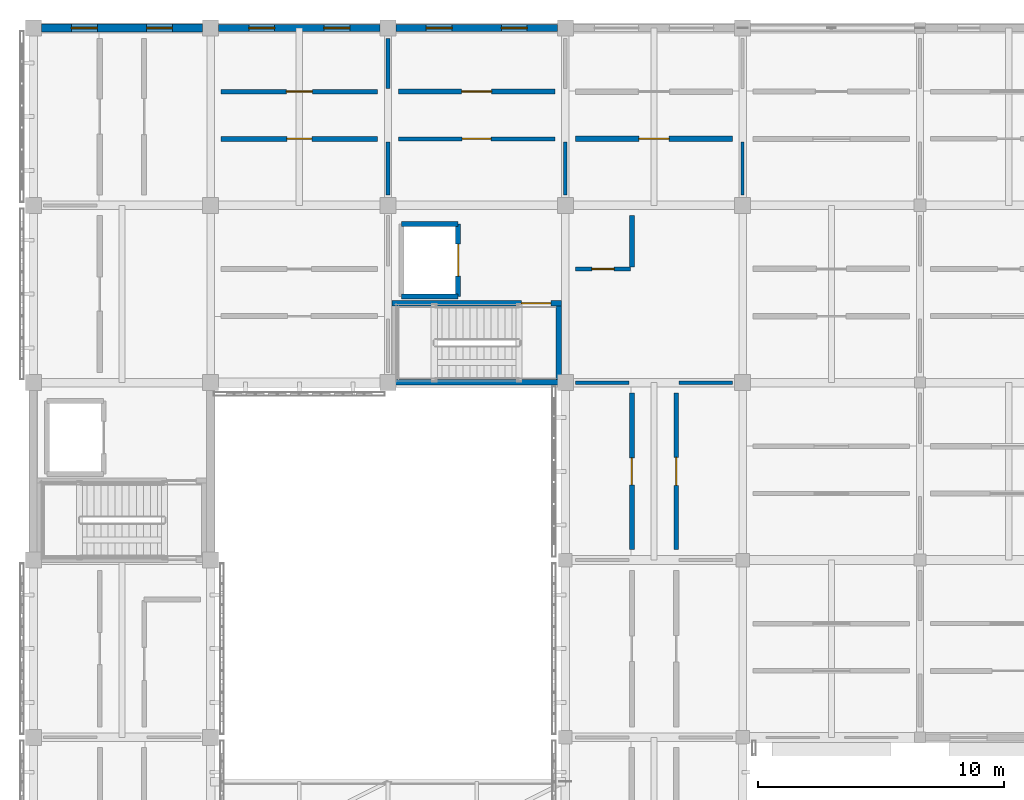
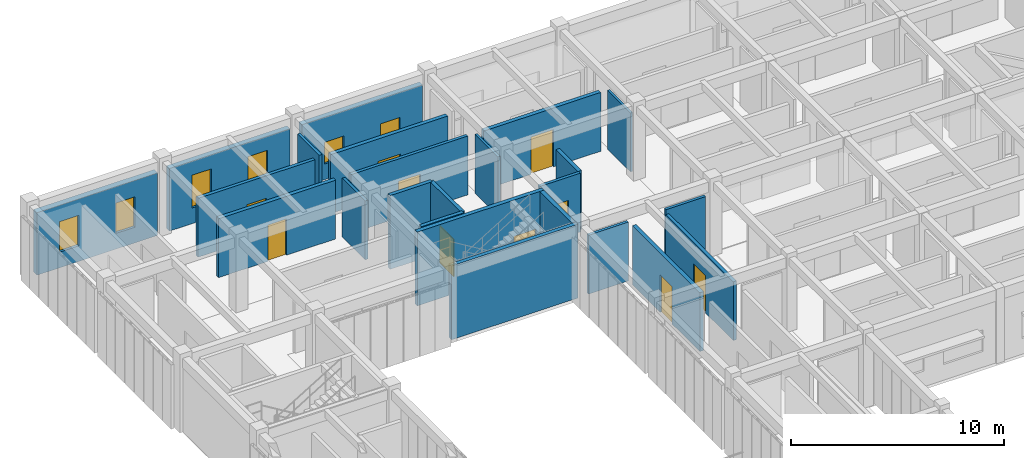
# One storey, part 74 of 91: 24 walls, 10 doors, 6 windows, 16 openings.
"""IFC4 building model written with IfcOpenShell, lengths in metres."""

from ifc_helpers import new_model, si_unit, direction, frame, frame_2d, origin, place, context, subcontext, project, spatial, rectangle, extrude, material, layer, layer_set, type_object, element, fill, save


model = new_model("IFC4")

# Units and contexts
model_context = context("Model", 3, precision=1e-05, world=origin(), true_north=direction((0.0, 1.0)))
body_context = subcontext(model_context, "Body", "Model", "MODEL_VIEW")
ifc_project = project(units=[si_unit("LENGTHUNIT", "METRE"), si_unit("AREAUNIT", "SQUARE_METRE"), si_unit("VOLUMEUNIT", "CUBIC_METRE"), si_unit("PLANEANGLEUNIT", "RADIAN"), si_unit("MASSUNIT", "GRAM", prefix="KILO")], contexts=[model_context])

# Site, building, storey
site_placement = place(None, origin())
site = spatial("IfcSite", under=ifc_project, at=site_placement, CompositionType="ELEMENT")
building_placement = place(site_placement, origin())
building = spatial("IfcBuilding", under=site, at=building_placement, Name="Aldebral Square Health Centre", CompositionType="ELEMENT")
storey_placement = place(building_placement, frame((0.0, 0.0, 9.0)))
storey = spatial("IfcBuildingStorey", under=building, at=storey_placement, Name="L02", CompositionType="ELEMENT", Elevation=9.0)

# Wall, openings, windows
ifc_material_1 = material(Name="Ochre mineral-rendered concrete C35/45 court wall", Category="concrete")
ifc_layer_1 = layer(ifc_material_1, 0.280029296875, Name="Ochre mineral-rendered concrete C35/45 court wall", Category="concrete")
ifc_layer_set_1 = layer_set([ifc_layer_1], Name="Ochre mineral-rendered concrete C35/45 court wall")
wall_type_1 = type_object("IfcWallType", Name="EW-OCH-280", PredefinedType="STANDARD", material=ifc_layer_set_1)
wall_1_placement = place(storey_placement, frame((14.074951171875, 115.199951171875, 0.0), z_axis=(0.0, 0.0, 1.0), x_axis=(-1.0, 0.0, 0.0)))
wall_1 = element("IfcWall", 1, at=wall_1_placement, inside=storey, type_object=wall_type_1, Name="L02 V4 exterior wall L02-V4-01-15-N", PredefinedType="STANDARD", context=body_context, shape_type="SweptSolid", body=[
    extrude(rectangle(XDim=6.550048828125, YDim=0.280029296875, at=frame_2d((3.27490234375, 0.0))), origin(), (0.0, 0.0, 1.0), 3.590087890625),
])
opening_1_placement = place(wall_1_placement, frame((1.22509765625, 0.0, 0.89990234375)))
opening_1 = element("IfcOpeningElement", 2, at=opening_1_placement, cuts=wall_1, Name="Opening W47", PredefinedType="OPENING", context=body_context, shape_type="SweptSolid", body=[
    extrude(rectangle(XDim=1.050048828125, YDim=1.8798828125, at=frame_2d((0.52490234375, 0.93994140625))), frame((0.0, 0.14990234375, 0.0), z_axis=(0.0, -1.0, 0.0), x_axis=(1.0, 0.0, 0.0)), (0.0, 0.0, 1.0), 0.300048828125),
])
opening_2_placement = place(wall_1_placement, frame((4.27490234375, 0.0, 0.89990234375)))
opening_2 = element("IfcOpeningElement", 3, at=opening_2_placement, cuts=wall_1, Name="Opening W47", PredefinedType="OPENING", context=body_context, shape_type="SweptSolid", body=[
    extrude(rectangle(XDim=1.050048828125, YDim=1.8798828125, at=frame_2d((0.52490234375, 0.93994140625))), frame((0.0, 0.14990234375, 0.0), z_axis=(0.0, -1.0, 0.0), x_axis=(1.0, 0.0, 0.0)), (0.0, 0.0, 1.0), 0.300048828125),
])
ifc_material_2 = material(Name="Thermally broken aluminium and low-E glass", Category="aluminium")
window_type_1 = type_object("IfcWindowType", Name="WIN-W47", PartitioningType="SINGLE_PANEL", PredefinedType="WINDOW", material=ifc_material_2)
window_1_placement = place(opening_1_placement, origin())
window_1 = element("IfcWindow", 4, at=window_1_placement, inside=storey, type_object=window_type_1, Name="L02 clinical window L02-V4-01-15-N.1", OverallHeight=1.8798828125, OverallWidth=1.050048828125, PartitioningType="SINGLE_PANEL", PredefinedType="WINDOW", context=body_context, shape_type="SweptSolid", body=[
    extrude(rectangle(XDim=1.050048828125, YDim=1.8798828125, at=frame_2d((0.52490234375, 0.93994140625))), frame((0.0, 0.030029296875, 0.0), z_axis=(0.0, -1.0, 0.0), x_axis=(1.0, 0.0, 0.0)), (0.0, 0.0, 1.0), 0.06005859375),
])
fill(opening_1, window_1)
window_2_placement = place(opening_2_placement, origin())
window_2 = element("IfcWindow", 5, at=window_2_placement, inside=storey, type_object=window_type_1, Name="L02 clinical window L02-V4-01-15-N.2", OverallHeight=1.8798828125, OverallWidth=1.050048828125, PartitioningType="SINGLE_PANEL", PredefinedType="WINDOW", context=body_context, shape_type="SweptSolid", body=[
    extrude(rectangle(XDim=1.050048828125, YDim=1.8798828125, at=frame_2d((0.52490234375, 0.93994140625))), frame((0.0, 0.030029296875, 0.0), z_axis=(0.0, -1.0, 0.0), x_axis=(1.0, 0.0, 0.0)), (0.0, 0.0, 1.0), 0.06005859375),
])
fill(opening_2, window_2)

wall_2_placement = place(storey_placement, frame((21.27490234375, 115.199951171875, 0.0), z_axis=(0.0, 0.0, 1.0), x_axis=(-1.0, 0.0, 0.0)))
wall_2 = element("IfcWall", 6, at=wall_2_placement, inside=storey, type_object=wall_type_1, Name="L02 V4 exterior wall L02-V4-02-15-N", PredefinedType="STANDARD", context=body_context, shape_type="SweptSolid", body=[
    extrude(rectangle(XDim=6.5498046875, YDim=0.280029296875, at=frame_2d((3.27490234375, 0.0))), origin(), (0.0, 0.0, 1.0), 3.590087890625),
])
opening_3_placement = place(wall_2_placement, frame((1.22509765625, 0.0, 0.89990234375)))
opening_3 = element("IfcOpeningElement", 7, at=opening_3_placement, cuts=wall_2, Name="Opening W02", PredefinedType="OPENING", context=body_context, shape_type="SweptSolid", body=[
    extrude(rectangle(XDim=1.050048828125, YDim=1.25, at=frame_2d((0.52490234375, 0.625))), frame((0.0, 0.14990234375, 0.0), z_axis=(0.0, -1.0, 0.0), x_axis=(1.0, 0.0, 0.0)), (0.0, 0.0, 1.0), 0.300048828125),
])
opening_4_placement = place(wall_2_placement, frame((4.27490234375, 0.0, 0.89990234375)))
opening_4 = element("IfcOpeningElement", 8, at=opening_4_placement, cuts=wall_2, Name="Opening W02", PredefinedType="OPENING", context=body_context, shape_type="SweptSolid", body=[
    extrude(rectangle(XDim=1.050048828125, YDim=1.25, at=frame_2d((0.52490234375, 0.625))), frame((0.0, 0.14990234375, 0.0), z_axis=(0.0, -1.0, 0.0), x_axis=(1.0, 0.0, 0.0)), (0.0, 0.0, 1.0), 0.300048828125),
])
window_type_2 = type_object("IfcWindowType", Name="WIN-W02", PartitioningType="SINGLE_PANEL", PredefinedType="WINDOW", material=ifc_material_2)
window_3_placement = place(opening_3_placement, origin())
window_3 = element("IfcWindow", 9, at=window_3_placement, inside=storey, type_object=window_type_2, Name="L02 clinical window L02-V4-02-15-N.1", OverallHeight=1.25, OverallWidth=1.050048828125, PartitioningType="SINGLE_PANEL", PredefinedType="WINDOW", context=body_context, shape_type="SweptSolid", body=[
    extrude(rectangle(XDim=1.050048828125, YDim=1.25, at=frame_2d((0.52490234375, 0.625))), frame((0.0, 0.030029296875, 0.0), z_axis=(0.0, -1.0, 0.0), x_axis=(1.0, 0.0, 0.0)), (0.0, 0.0, 1.0), 0.06005859375),
])
fill(opening_3, window_3)
window_4_placement = place(opening_4_placement, origin())
window_4 = element("IfcWindow", 10, at=window_4_placement, inside=storey, type_object=window_type_2, Name="L02 clinical window L02-V4-02-15-N.2", OverallHeight=1.25, OverallWidth=1.050048828125, PartitioningType="SINGLE_PANEL", PredefinedType="WINDOW", context=body_context, shape_type="SweptSolid", body=[
    extrude(rectangle(XDim=1.050048828125, YDim=1.25, at=frame_2d((0.52490234375, 0.625))), frame((0.0, 0.030029296875, 0.0), z_axis=(0.0, -1.0, 0.0), x_axis=(1.0, 0.0, 0.0)), (0.0, 0.0, 1.0), 0.06005859375),
])
fill(opening_4, window_4)

ifc_material_3 = material(Name="Precast concrete C40/50 insulated panel", Category="concrete")
ifc_layer_2 = layer(ifc_material_3, 0.320068359375, Name="Precast concrete C40/50 insulated panel", Category="concrete")
ifc_layer_set_2 = layer_set([ifc_layer_2], Name="Precast concrete C40/50 insulated panel")
wall_type_2 = type_object("IfcWallType", Name="EW-PRE-320", PredefinedType="STANDARD", material=ifc_layer_set_2)
wall_3_placement = place(storey_placement, frame((6.875, 115.199951171875, 0.0), z_axis=(0.0, 0.0, 1.0), x_axis=(-1.0, 0.0, 0.0)))
wall_3 = element("IfcWall", 11, at=wall_3_placement, inside=storey, type_object=wall_type_2, Name="L02 V4 exterior wall L02-V4-00-15-N", PredefinedType="STANDARD", context=body_context, shape_type="SweptSolid", body=[
    extrude(rectangle(XDim=6.550048828125, YDim=0.320068359375, at=frame_2d((3.27490234375, 0.0))), origin(), (0.0, 0.0, 1.0), 3.590087890625),
])
opening_5_placement = place(wall_3_placement, frame((1.22509765625, 0.0, 0.89990234375)))
opening_5 = element("IfcOpeningElement", 12, at=opening_5_placement, cuts=wall_3, Name="Opening W38", PredefinedType="OPENING", context=body_context, shape_type="SweptSolid", body=[
    extrude(rectangle(XDim=1.050048828125, YDim=1.75, at=frame_2d((0.52490234375, 0.875))), frame((0.0, 0.169921875, 0.0), z_axis=(0.0, -1.0, 0.0), x_axis=(1.0, 0.0, 0.0)), (0.0, 0.0, 1.0), 0.340087890625),
])
opening_6_placement = place(wall_3_placement, frame((4.27490234375, 0.0, 0.89990234375)))
opening_6 = element("IfcOpeningElement", 13, at=opening_6_placement, cuts=wall_3, Name="Opening W38", PredefinedType="OPENING", context=body_context, shape_type="SweptSolid", body=[
    extrude(rectangle(XDim=1.050048828125, YDim=1.75, at=frame_2d((0.52490234375, 0.875))), frame((0.0, 0.169921875, 0.0), z_axis=(0.0, -1.0, 0.0), x_axis=(1.0, 0.0, 0.0)), (0.0, 0.0, 1.0), 0.340087890625),
])
window_type_3 = type_object("IfcWindowType", Name="WIN-W38", PartitioningType="SINGLE_PANEL", PredefinedType="WINDOW", material=ifc_material_2)
window_5_placement = place(opening_5_placement, origin())
window_5 = element("IfcWindow", 14, at=window_5_placement, inside=storey, type_object=window_type_3, Name="L02 clinical window L02-V4-00-15-N.1", OverallHeight=1.75, OverallWidth=1.050048828125, PartitioningType="SINGLE_PANEL", PredefinedType="WINDOW", context=body_context, shape_type="SweptSolid", body=[
    extrude(rectangle(XDim=1.050048828125, YDim=1.75, at=frame_2d((0.52490234375, 0.875))), frame((0.0, 0.030029296875, 0.0), z_axis=(0.0, -1.0, 0.0), x_axis=(1.0, 0.0, 0.0)), (0.0, 0.0, 1.0), 0.06005859375),
])
fill(opening_5, window_5)
window_6_placement = place(opening_6_placement, origin())
window_6 = element("IfcWindow", 15, at=window_6_placement, inside=storey, type_object=window_type_3, Name="L02 clinical window L02-V4-00-15-N.2", OverallHeight=1.75, OverallWidth=1.050048828125, PartitioningType="SINGLE_PANEL", PredefinedType="WINDOW", context=body_context, shape_type="SweptSolid", body=[
    extrude(rectangle(XDim=1.050048828125, YDim=1.75, at=frame_2d((0.52490234375, 0.875))), frame((0.0, 0.030029296875, 0.0), z_axis=(0.0, -1.0, 0.0), x_axis=(1.0, 0.0, 0.0)), (0.0, 0.0, 1.0), 0.06005859375),
])
fill(opening_6, window_6)

# Wall, opening, door
ifc_material_4 = material(Name="Concrete C35/45 compartment wall", Category="concrete")
ifc_layer_3 = layer(ifc_material_4, 0.219970703125, Name="Concrete C35/45 compartment wall", Category="concrete")
ifc_layer_set_3 = layer_set([ifc_layer_3], Name="Concrete C35/45 compartment wall")
wall_type_3 = type_object("IfcWallType", Name="IW-CMP-220", PredefinedType="SOLIDWALL", material=ifc_layer_set_3)
wall_4_placement = place(storey_placement, frame((22.02001953125, 110.699951171875, 0.0), z_axis=(0.0, 0.0, 1.0), x_axis=(1.0, 0.0, 0.0)))
wall_4 = element("IfcWall", 16, at=wall_4_placement, inside=storey, type_object=wall_type_3, Name="L02 Immunisation Suite 4.16S corridor wall", PredefinedType="SOLIDWALL", context=body_context, shape_type="SweptSolid", body=[
    extrude(rectangle(XDim=6.35986328125, YDim=0.219970703125, at=frame_2d((3.179931640625, 0.0))), origin(), (0.0, 0.0, 1.0), 3.3798828125),
])
opening_7_placement = place(wall_4_placement, frame((2.570068359375, 0.0, 0.0)))
opening_7 = element("IfcOpeningElement", 17, at=opening_7_placement, cuts=wall_4, Name="Opening D-0469", PredefinedType="OPENING", context=body_context, shape_type="SweptSolid", body=[
    extrude(rectangle(XDim=1.219970703125, YDim=2.139892578125, at=frame_2d((0.60986328125, 1.06982421875))), frame((0.0, 0.1201171875, 0.0), z_axis=(0.0, -1.0, 0.0), x_axis=(1.0, 0.0, 0.0)), (0.0, 0.0, 1.0), 0.239990234375),
])
ifc_material_5 = material(Name="Clinical suite fire door")
door_type_1 = type_object("IfcDoorType", Name="ID-EXD-40", OperationType="NOTDEFINED", PredefinedType="DOOR", material=ifc_material_5)
door_1_placement = place(opening_7_placement, origin())
door_1 = element("IfcDoor", 18, at=door_1_placement, inside=storey, type_object=door_type_1, Name="L02 Immunisation Suite 4.16S door", OperationType="SINGLE_SWING_RIGHT", OverallHeight=2.139892578125, OverallWidth=1.219970703125, PredefinedType="DOOR", context=body_context, shape_type="SweptSolid", body=[
    extrude(rectangle(XDim=1.219970703125, YDim=2.139892578125, at=frame_2d((0.60986328125, 1.06982421875))), frame((0.0, 0.02490234375, 0.0), z_axis=(0.0, -1.0, 0.0), x_axis=(1.0, 0.0, 0.0)), (0.0, 0.0, 1.0), 0.050048828125),
])
fill(opening_7, door_1)

ifc_material_6 = material(Name="Fire-rated acoustic gypsum partition")
ifc_layer_4 = layer(ifc_material_6, 0.1650390625, Name="Fire-rated acoustic gypsum partition")
ifc_layer_set_4 = layer_set([ifc_layer_4], Name="Fire-rated acoustic gypsum partition")
wall_type_4 = type_object("IfcWallType", Name="IW-COR-165", PredefinedType="PARTITIONING", material=ifc_layer_set_4)
wall_5_placement = place(storey_placement, frame((14.820068359375, 110.699951171875, 0.0), z_axis=(0.0, 0.0, 1.0), x_axis=(1.0, 0.0, 0.0)))
wall_5 = element("IfcWall", 19, at=wall_5_placement, inside=storey, type_object=wall_type_4, Name="L02 General Consulting Room 3.16S corridor wall", PredefinedType="PARTITIONING", context=body_context, shape_type="SweptSolid", body=[
    extrude(rectangle(XDim=6.35986328125, YDim=0.1650390625, at=frame_2d((3.179931640625, 0.0))), origin(), (0.0, 0.0, 1.0), 3.3798828125),
])
opening_8_placement = place(wall_5_placement, frame((2.590087890625, 0.0, 0.0)))
opening_8 = element("IfcOpeningElement", 20, at=opening_8_placement, cuts=wall_5, Name="Opening D-0452", PredefinedType="OPENING", context=body_context, shape_type="SweptSolid", body=[
    extrude(rectangle(XDim=1.179931640625, YDim=2.090087890625, at=frame_2d((0.58984375, 1.044921875))), frame((0.0, 0.092529296875, 0.0), z_axis=(0.0, -1.0, 0.0), x_axis=(1.0, 0.0, 0.0)), (0.0, 0.0, 1.0), 0.18505859375),
])
door_type_2 = type_object("IfcDoorType", Name="ID-EXD-23", OperationType="NOTDEFINED", PredefinedType="DOOR", material=ifc_material_5)
door_2_placement = place(opening_8_placement, origin())
door_2 = element("IfcDoor", 21, at=door_2_placement, inside=storey, type_object=door_type_2, Name="L02 General Consulting Room 3.16S door", OperationType="SINGLE_SWING_LEFT", OverallHeight=2.090087890625, OverallWidth=1.179931640625, PredefinedType="DOOR", context=body_context, shape_type="SweptSolid", body=[
    extrude(rectangle(XDim=1.179931640625, YDim=2.090087890625, at=frame_2d((0.58984375, 1.044921875))), frame((0.0, 0.02490234375, 0.0), z_axis=(0.0, -1.0, 0.0), x_axis=(1.0, 0.0, 0.0)), (0.0, 0.0, 1.0), 0.050048828125),
])
fill(opening_8, door_2)

wall_6_placement = place(storey_placement, frame((22.02001953125, 105.419921875, 0.0), z_axis=(0.0, 0.0, 1.0), x_axis=(1.0, 0.0, 0.0)))
wall_6 = element("IfcWall", 22, at=wall_6_placement, inside=storey, type_object=wall_type_4, Name="L02 Adolescent Medicine Clinic 4.15NW corridor wall", PredefinedType="PARTITIONING", context=body_context, shape_type="SweptSolid", body=[
    extrude(rectangle(XDim=2.219970703125, YDim=0.1650390625, at=frame_2d((1.10986328125, 0.0))), origin(), (0.0, 0.0, 1.0), 3.3798828125),
])
opening_9_placement = place(wall_6_placement, frame((0.659912109375, 0.0, 0.0)))
opening_9 = element("IfcOpeningElement", 23, at=opening_9_placement, cuts=wall_6, Name="Opening D-0468", PredefinedType="OPENING", context=body_context, shape_type="SweptSolid", body=[
    extrude(rectangle(XDim=0.89990234375, YDim=2.0400390625, at=frame_2d((0.449951171875, 1.02001953125))), frame((0.0, 0.092529296875, 0.0), z_axis=(0.0, -1.0, 0.0), x_axis=(1.0, 0.0, 0.0)), (0.0, 0.0, 1.0), 0.18505859375),
])
door_type_3 = type_object("IfcDoorType", Name="ID-EXD-00", OperationType="NOTDEFINED", PredefinedType="DOOR", material=ifc_material_5)
door_3_placement = place(opening_9_placement, origin())
door_3 = element("IfcDoor", 24, at=door_3_placement, inside=storey, type_object=door_type_3, Name="L02 Adolescent Medicine Clinic 4.15NW door", OperationType="SINGLE_SWING_LEFT", OverallHeight=2.0400390625, OverallWidth=0.89990234375, PredefinedType="DOOR", context=body_context, shape_type="SweptSolid", body=[
    extrude(rectangle(XDim=0.89990234375, YDim=2.0400390625, at=frame_2d((0.449951171875, 1.02001953125))), frame((0.0, 0.02490234375, 0.0), z_axis=(0.0, -1.0, 0.0), x_axis=(1.0, 0.0, 0.0)), (0.0, 0.0, 1.0), 0.050048828125),
])
fill(opening_9, door_3)

ifc_layer_5 = layer(ifc_material_6, 0.179931640625, Name="Fire-rated acoustic gypsum partition")
ifc_layer_set_5 = layer_set([ifc_layer_5], Name="Fire-rated acoustic gypsum partition")
wall_type_5 = type_object("IfcWallType", Name="IW-COR-180", PredefinedType="PARTITIONING", material=ifc_layer_set_5)
wall_7_placement = place(storey_placement, frame((7.6201171875, 112.6201171875, 0.0), z_axis=(0.0, 0.0, 1.0), x_axis=(1.0, 0.0, 0.0)))
wall_7 = element("IfcWall", 25, at=wall_7_placement, inside=storey, type_object=wall_type_5, Name="L02 Paediatric Examination Room 2.16N corridor wall", PredefinedType="PARTITIONING", context=body_context, shape_type="SweptSolid", body=[
    extrude(rectangle(XDim=6.35986328125, YDim=0.179931640625, at=frame_2d((3.179931640625, 0.0))), origin(), (0.0, 0.0, 1.0), 3.3798828125),
])
opening_10_placement = place(wall_7_placement, frame((2.64990234375, 0.0, 0.0)))
opening_10 = element("IfcOpeningElement", 26, at=opening_10_placement, cuts=wall_7, Name="Opening D-0449", PredefinedType="OPENING", context=body_context, shape_type="SweptSolid", body=[
    extrude(rectangle(XDim=1.06005859375, YDim=2.090087890625, at=frame_2d((0.530029296875, 1.044921875))), frame((0.0, 0.10009765625, 0.0), z_axis=(0.0, -1.0, 0.0), x_axis=(1.0, 0.0, 0.0)), (0.0, 0.0, 1.0), 0.199951171875),
])
door_type_4 = type_object("IfcDoorType", Name="ID-EXD-20", OperationType="NOTDEFINED", PredefinedType="DOOR", material=ifc_material_5)
door_4_placement = place(opening_10_placement, origin())
door_4 = element("IfcDoor", 27, at=door_4_placement, inside=storey, type_object=door_type_4, Name="L02 Paediatric Examination Room 2.16N door", OperationType="SINGLE_SWING_RIGHT", OverallHeight=2.090087890625, OverallWidth=1.06005859375, PredefinedType="DOOR", context=body_context, shape_type="SweptSolid", body=[
    extrude(rectangle(XDim=1.06005859375, YDim=2.090087890625, at=frame_2d((0.530029296875, 1.044921875))), frame((0.0, 0.02490234375, 0.0), z_axis=(0.0, -1.0, 0.0), x_axis=(1.0, 0.0, 0.0)), (0.0, 0.0, 1.0), 0.050048828125),
])
fill(opening_10, door_4)

wall_8_placement = place(storey_placement, frame((26.10009765625, 94.02001953125, 0.0), z_axis=(0.0, 0.0, 1.0), x_axis=(0.0, 1.0, 0.0)))
wall_8 = element("IfcWall", 28, at=wall_8_placement, inside=storey, type_object=wall_type_5, Name="L02 Paediatric Examination Room 4.14E corridor wall", PredefinedType="PARTITIONING", context=body_context, shape_type="SweptSolid", body=[
    extrude(rectangle(XDim=6.35986328125, YDim=0.179931640625, at=frame_2d((3.179931640625, 0.0))), origin(), (0.0, 0.0, 1.0), 3.3798828125),
])
opening_11_placement = place(wall_8_placement, frame((2.610107421875, 0.0, 0.0)))
opening_11 = element("IfcOpeningElement", 29, at=opening_11_placement, cuts=wall_8, Name="Opening D-0467", PredefinedType="OPENING", context=body_context, shape_type="SweptSolid", body=[
    extrude(rectangle(XDim=1.139892578125, YDim=2.139892578125, at=frame_2d((0.56982421875, 1.06982421875))), frame((0.0, 0.10009765625, 0.0), z_axis=(0.0, -1.0, 0.0), x_axis=(1.0, 0.0, 0.0)), (0.0, 0.0, 1.0), 0.199951171875),
])
door_type_5 = type_object("IfcDoorType", Name="ID-EXD-38", OperationType="NOTDEFINED", PredefinedType="DOOR", material=ifc_material_5)
door_5_placement = place(opening_11_placement, origin())
door_5 = element("IfcDoor", 30, at=door_5_placement, inside=storey, type_object=door_type_5, Name="L02 Paediatric Examination Room 4.14E door", OperationType="SINGLE_SWING_RIGHT", OverallHeight=2.139892578125, OverallWidth=1.139892578125, PredefinedType="DOOR", context=body_context, shape_type="SweptSolid", body=[
    extrude(rectangle(XDim=1.139892578125, YDim=2.139892578125, at=frame_2d((0.56982421875, 1.06982421875))), frame((0.0, 0.02490234375, 0.0), z_axis=(0.0, -1.0, 0.0), x_axis=(1.0, 0.0, 0.0)), (0.0, 0.0, 1.0), 0.050048828125),
])
fill(opening_11, door_5)

# Wall
ifc_material_7 = material(Name="Concrete C40/50", Category="concrete")
ifc_layer_6 = layer(ifc_material_7, 0.219970703125, Name="Concrete C40/50", Category="concrete")
ifc_layer_set_6 = layer_set([ifc_layer_6], Name="Concrete C40/50")
wall_type_6 = type_object("IfcWallType", Name="IW-CORE-280", PredefinedType="SHEAR", material=ifc_layer_set_6)
wall_9_placement = place(storey_placement, frame((14.56005859375, 100.81005859375, 0.0), z_axis=(0.0, 0.0, 1.0), x_axis=(1.0, 0.0, 0.0)))
element("IfcWall", 31, at=wall_9_placement, inside=storey, type_object=wall_type_6, Name="L02 WC-C2 shaft wall S", PredefinedType="SHEAR", context=body_context, shape_type="SweptSolid", body=[
    extrude(rectangle(XDim=6.8798828125, YDim=0.219970703125, at=frame_2d((3.43994140625, 0.0))), origin(), (0.0, 0.0, 1.0), 4.239990234375),
])

# Wall, opening, door
wall_10_placement = place(storey_placement, frame((14.56005859375, 104.030029296875, 0.0), z_axis=(0.0, 0.0, 1.0), x_axis=(1.0, 0.0, 0.0)))
wall_10 = element("IfcWall", 32, at=wall_10_placement, inside=storey, type_object=wall_type_6, Name="L02 WC-C2 shaft wall N", PredefinedType="SHEAR", context=body_context, shape_type="SweptSolid", body=[
    extrude(rectangle(XDim=6.8798828125, YDim=0.219970703125, at=frame_2d((3.43994140625, 0.0))), origin(), (0.0, 0.0, 1.0), 4.239990234375),
])
opening_12_placement = place(wall_10_placement, frame((5.25, 0.0, 0.0)))
opening_12 = element("IfcOpeningElement", 33, at=opening_12_placement, cuts=wall_10, Name="Opening D-0023", PredefinedType="OPENING", context=body_context, shape_type="SweptSolid", body=[
    extrude(rectangle(XDim=1.199951171875, YDim=2.14990234375, at=frame_2d((0.60009765625, 1.074951171875))), frame((0.0, 0.1201171875, 0.0), z_axis=(0.0, -1.0, 0.0), x_axis=(1.0, 0.0, 0.0)), (0.0, 0.0, 1.0), 0.239990234375),
])
ifc_material_8 = material(Name="Fire-rated steel stair door", Category="steel")
door_type_6 = type_object("IfcDoorType", Name="ID-ST-120", OperationType="NOTDEFINED", PredefinedType="DOOR", material=ifc_material_8)
door_6_placement = place(opening_12_placement, origin())
door_6 = element("IfcDoor", 34, at=door_6_placement, inside=storey, type_object=door_type_6, Name="L02 ST-02 fire door", OperationType="SINGLE_SWING_RIGHT", OverallHeight=2.14990234375, OverallWidth=1.199951171875, PredefinedType="DOOR", context=body_context, shape_type="SweptSolid", body=[
    extrude(rectangle(XDim=1.199951171875, YDim=2.14990234375, at=frame_2d((0.60009765625, 1.074951171875))), frame((0.0, 0.02490234375, 0.0), z_axis=(0.0, -1.0, 0.0), x_axis=(1.0, 0.0, 0.0)), (0.0, 0.0, 1.0), 0.050048828125),
])
fill(opening_12, door_6)

# Walls
wall_11_placement = place(storey_placement, frame((21.330078125, 100.919921875, 0.0), z_axis=(0.0, 0.0, 1.0), x_axis=(0.0, 1.0, 0.0)))
element("IfcWall", 35, at=wall_11_placement, inside=storey, type_object=wall_type_6, Name="L02 WC-C2 shaft wall E", PredefinedType="SHEAR", context=body_context, shape_type="SweptSolid", body=[
    extrude(rectangle(XDim=3.0, YDim=0.219970703125, at=frame_2d((1.5, 0.0))), origin(), (0.0, 0.0, 1.0), 4.239990234375),
])
ifc_layer_7 = layer(ifc_material_7, 0.199951171875, Name="Concrete C40/50", Category="concrete")
ifc_layer_set_7 = layer_set([ifc_layer_7], Name="Concrete C40/50")
wall_type_7 = type_object("IfcWallType", Name="IW-LFT-250", PredefinedType="SHEAR", material=ifc_layer_set_7)
for number, where, z_axis, x_axis, name in (
    (36, (14.949951171875, 104.300048828125, 0.0), (0.0, 0.0, 1.0), (1.0, 0.0, 0.0), "L02 LF-02 shaft wall S"),
    (37, (14.949951171875, 107.25, 0.0), (0.0, 0.0, 1.0), (1.0, 0.0, 0.0), "L02 LF-02 shaft wall N"),
):
    element("IfcWall", number, at=place(storey_placement, frame(where, z_axis=z_axis, x_axis=x_axis)), inside=storey, type_object=wall_type_7, Name=name, PredefinedType="SHEAR", context=body_context, shape_type="SweptSolid", body=[
        extrude(rectangle(XDim=2.300048828125, YDim=0.199951171875, at=frame_2d((1.14990234375, 0.0))), origin(), (0.0, 0.0, 1.0), 4.239990234375),
    ])

# Wall, opening, door
wall_12_placement = place(storey_placement, frame((17.25, 104.300048828125, 0.0), z_axis=(0.0, 0.0, 1.0), x_axis=(0.0, 1.0, 0.0)))
wall_12 = element("IfcWall", 38, at=wall_12_placement, inside=storey, type_object=wall_type_7, Name="L02 LF-02 landing wall", PredefinedType="SHEAR", context=body_context, shape_type="SweptSolid", body=[
    extrude(rectangle(XDim=2.949951171875, YDim=0.199951171875, at=frame_2d((1.47509765625, 0.0))), origin(), (0.0, 0.0, 1.0), 4.239990234375),
])
opening_13_placement = place(wall_12_placement, frame((0.824951171875, 0.0, 0.0)))
opening_13 = element("IfcOpeningElement", 39, at=opening_13_placement, cuts=wall_12, Name="Opening D-0024", PredefinedType="OPENING", context=body_context, shape_type="SweptSolid", body=[
    extrude(rectangle(XDim=1.300048828125, YDim=2.14990234375, at=frame_2d((0.64990234375, 1.074951171875))), frame((0.0, 0.10986328125, 0.0), z_axis=(0.0, -1.0, 0.0), x_axis=(1.0, 0.0, 0.0)), (0.0, 0.0, 1.0), 0.219970703125),
])
ifc_material_9 = material(Name="Stainless steel stretcher lift landing door", Category="steel")
door_type_7 = type_object("IfcDoorType", Name="ID-LD-130", OperationType="SLIDING_TO_LEFT", PredefinedType="DOOR", material=ifc_material_9)
door_7_placement = place(opening_13_placement, origin())
door_7 = element("IfcDoor", 40, at=door_7_placement, inside=storey, type_object=door_type_7, Name="L02 LF-02 sliding landing door", OperationType="SLIDING_TO_LEFT", OverallHeight=2.14990234375, OverallWidth=1.300048828125, PredefinedType="DOOR", context=body_context, shape_type="SweptSolid", body=[
    extrude(rectangle(XDim=1.300048828125, YDim=2.14990234375, at=frame_2d((0.64990234375, 1.074951171875))), frame((0.0, 0.02490234375, 0.0), z_axis=(0.0, -1.0, 0.0), x_axis=(1.0, 0.0, 0.0)), (0.0, 0.0, 1.0), 0.050048828125),
])
fill(opening_13, door_7)

ifc_material_10 = material(Name="Moisture-resistant sanitary chase wall")
ifc_layer_8 = layer(ifc_material_10, 0.2099609375, Name="Moisture-resistant sanitary chase wall")
ifc_layer_set_8 = layer_set([ifc_layer_8], Name="Moisture-resistant sanitary chase wall")
wall_type_8 = type_object("IfcWallType", Name="IW-PLB-210", PredefinedType="PLUMBINGWALL", material=ifc_layer_set_8)
wall_13_placement = place(storey_placement, frame((7.6201171875, 110.699951171875, 0.0), z_axis=(0.0, 0.0, 1.0), x_axis=(1.0, 0.0, 0.0)))
wall_13 = element("IfcWall", 41, at=wall_13_placement, inside=storey, type_object=wall_type_8, Name="L02 Family Toilet 2.16S corridor wall", PredefinedType="PLUMBINGWALL", context=body_context, shape_type="SweptSolid", body=[
    extrude(rectangle(XDim=6.35986328125, YDim=0.2099609375, at=frame_2d((3.179931640625, 0.0))), origin(), (0.0, 0.0, 1.0), 3.3798828125),
])
opening_14_placement = place(wall_13_placement, frame((2.669921875, 0.0, 0.0)))
opening_14 = element("IfcOpeningElement", 42, at=opening_14_placement, cuts=wall_13, Name="Opening D-0448", PredefinedType="OPENING", context=body_context, shape_type="SweptSolid", body=[
    extrude(rectangle(XDim=1.02001953125, YDim=2.090087890625, at=frame_2d((0.510009765625, 1.044921875))), frame((0.0, 0.114990234375, 0.0), z_axis=(0.0, -1.0, 0.0), x_axis=(1.0, 0.0, 0.0)), (0.0, 0.0, 1.0), 0.22998046875),
])
door_type_8 = type_object("IfcDoorType", Name="ID-EXD-19", OperationType="NOTDEFINED", PredefinedType="DOOR", material=ifc_material_5)
door_8_placement = place(opening_14_placement, origin())
door_8 = element("IfcDoor", 43, at=door_8_placement, inside=storey, type_object=door_type_8, Name="L02 Family Toilet 2.16S door", OperationType="SINGLE_SWING_LEFT", OverallHeight=2.090087890625, OverallWidth=1.02001953125, PredefinedType="DOOR", context=body_context, shape_type="SweptSolid", body=[
    extrude(rectangle(XDim=1.02001953125, YDim=2.090087890625, at=frame_2d((0.510009765625, 1.044921875))), frame((0.0, 0.02490234375, 0.0), z_axis=(0.0, -1.0, 0.0), x_axis=(1.0, 0.0, 0.0)), (0.0, 0.0, 1.0), 0.050048828125),
])
fill(opening_14, door_8)

wall_14_placement = place(storey_placement, frame((14.820068359375, 112.6201171875, 0.0), z_axis=(0.0, 0.0, 1.0), x_axis=(1.0, 0.0, 0.0)))
wall_14 = element("IfcWall", 44, at=wall_14_placement, inside=storey, type_object=wall_type_8, Name="L02 Accessible WC 3.16N corridor wall", PredefinedType="PLUMBINGWALL", context=body_context, shape_type="SweptSolid", body=[
    extrude(rectangle(XDim=6.35986328125, YDim=0.2099609375, at=frame_2d((3.179931640625, 0.0))), origin(), (0.0, 0.0, 1.0), 3.3798828125),
])
opening_15_placement = place(wall_14_placement, frame((2.570068359375, 0.0, 0.0)))
opening_15 = element("IfcOpeningElement", 45, at=opening_15_placement, cuts=wall_14, Name="Opening D-0453", PredefinedType="OPENING", context=body_context, shape_type="SweptSolid", body=[
    extrude(rectangle(XDim=1.219970703125, YDim=2.090087890625, at=frame_2d((0.60986328125, 1.044921875))), frame((0.0, 0.114990234375, 0.0), z_axis=(0.0, -1.0, 0.0), x_axis=(1.0, 0.0, 0.0)), (0.0, 0.0, 1.0), 0.22998046875),
])
door_type_9 = type_object("IfcDoorType", Name="ID-EXD-24", OperationType="NOTDEFINED", PredefinedType="DOOR", material=ifc_material_5)
door_9_placement = place(opening_15_placement, origin())
door_9 = element("IfcDoor", 46, at=door_9_placement, inside=storey, type_object=door_type_9, Name="L02 Accessible WC 3.16N door", OperationType="SINGLE_SWING_RIGHT", OverallHeight=2.090087890625, OverallWidth=1.219970703125, PredefinedType="DOOR", context=body_context, shape_type="SweptSolid", body=[
    extrude(rectangle(XDim=1.219970703125, YDim=2.090087890625, at=frame_2d((0.60986328125, 1.044921875))), frame((0.0, 0.02490234375, 0.0), z_axis=(0.0, -1.0, 0.0), x_axis=(1.0, 0.0, 0.0)), (0.0, 0.0, 1.0), 0.050048828125),
])
fill(opening_15, door_9)

wall_15_placement = place(storey_placement, frame((24.300048828125, 94.02001953125, 0.0), z_axis=(0.0, 0.0, 1.0), x_axis=(0.0, 1.0, 0.0)))
wall_15 = element("IfcWall", 47, at=wall_15_placement, inside=storey, type_object=wall_type_8, Name="L02 Family Toilet 4.14W corridor wall", PredefinedType="PLUMBINGWALL", context=body_context, shape_type="SweptSolid", body=[
    extrude(rectangle(XDim=6.35986328125, YDim=0.2099609375, at=frame_2d((3.179931640625, 0.0))), origin(), (0.0, 0.0, 1.0), 3.3798828125),
])
opening_16_placement = place(wall_15_placement, frame((2.6298828125, 0.0, 0.0)))
opening_16 = element("IfcOpeningElement", 48, at=opening_16_placement, cuts=wall_15, Name="Opening D-0466", PredefinedType="OPENING", context=body_context, shape_type="SweptSolid", body=[
    extrude(rectangle(XDim=1.10009765625, YDim=2.139892578125, at=frame_2d((0.550048828125, 1.06982421875))), frame((0.0, 0.114990234375, 0.0), z_axis=(0.0, -1.0, 0.0), x_axis=(1.0, 0.0, 0.0)), (0.0, 0.0, 1.0), 0.22998046875),
])
door_type_10 = type_object("IfcDoorType", Name="ID-EXD-37", OperationType="NOTDEFINED", PredefinedType="DOOR", material=ifc_material_5)
door_10_placement = place(opening_16_placement, origin())
door_10 = element("IfcDoor", 49, at=door_10_placement, inside=storey, type_object=door_type_10, Name="L02 Family Toilet 4.14W door", OperationType="SINGLE_SWING_LEFT", OverallHeight=2.139892578125, OverallWidth=1.10009765625, PredefinedType="DOOR", context=body_context, shape_type="SweptSolid", body=[
    extrude(rectangle(XDim=1.10009765625, YDim=2.139892578125, at=frame_2d((0.550048828125, 1.06982421875))), frame((0.0, 0.02490234375, 0.0), z_axis=(0.0, -1.0, 0.0), x_axis=(1.0, 0.0, 0.0)), (0.0, 0.0, 1.0), 0.050048828125),
])
fill(opening_16, door_10)

# Walls
wall_16_placement = place(storey_placement, frame((24.300048828125, 105.5, 0.0), z_axis=(0.0, 0.0, 1.0), x_axis=(0.0, 1.0, 0.0)))
element("IfcWall", 50, at=wall_16_placement, inside=storey, type_object=wall_type_8, Name="L02 Adolescent Medicine Clinic 4.15NW side wall", PredefinedType="PLUMBINGWALL", context=body_context, shape_type="SweptSolid", body=[
    extrude(rectangle(XDim=2.080078125, YDim=0.2099609375, at=frame_2d((1.0400390625, 0.0))), origin(), (0.0, 0.0, 1.0), 3.3798828125),
])
ifc_material_11 = material(Name="Acoustic clinical gypsum partition")
ifc_layer_9 = layer(ifc_material_11, 0.1201171875, Name="Acoustic clinical gypsum partition")
ifc_layer_set_9 = layer_set([ifc_layer_9], Name="Acoustic clinical gypsum partition")
wall_type_9 = type_object("IfcWallType", Name="IW-PRT-120", PredefinedType="PARTITIONING", material=ifc_layer_set_9)
wall_17_placement = place(storey_placement, frame((28.800048828125, 108.419921875, 0.0), z_axis=(0.0, 0.0, 1.0), x_axis=(0.0, 1.0, 0.0)))
element("IfcWall", 51, at=wall_17_placement, inside=storey, type_object=wall_type_9, Name="L02 Immunisation Suite 4.16S demising partition", PredefinedType="PARTITIONING", context=body_context, shape_type="SweptSolid", body=[
    extrude(rectangle(XDim=2.16015625, YDim=0.1201171875, at=frame_2d((1.080078125, 0.0))), origin(), (0.0, 0.0, 1.0), 3.3798828125),
])
ifc_layer_10 = layer(ifc_material_11, 0.135009765625, Name="Acoustic clinical gypsum partition")
ifc_layer_set_10 = layer_set([ifc_layer_10], Name="Acoustic clinical gypsum partition")
wall_type_10 = type_object("IfcWallType", Name="IW-PRT-135", PredefinedType="PARTITIONING", material=ifc_layer_set_10)
wall_18_placement = place(storey_placement, frame((21.60009765625, 108.419921875, 0.0), z_axis=(0.0, 0.0, 1.0), x_axis=(0.0, 1.0, 0.0)))
element("IfcWall", 52, at=wall_18_placement, inside=storey, type_object=wall_type_10, Name="L02 General Consulting Room 3.16S demising partition", PredefinedType="PARTITIONING", context=body_context, shape_type="SweptSolid", body=[
    extrude(rectangle(XDim=2.16015625, YDim=0.135009765625, at=frame_2d((1.080078125, 0.0))), origin(), (0.0, 0.0, 1.0), 3.3798828125),
])
ifc_layer_11 = layer(ifc_material_11, 0.14990234375, Name="Acoustic clinical gypsum partition")
ifc_layer_set_11 = layer_set([ifc_layer_11], Name="Acoustic clinical gypsum partition")
wall_type_11 = type_object("IfcWallType", Name="IW-PRT-150", PredefinedType="PARTITIONING", material=ifc_layer_set_11)
wall_19_placement = place(storey_placement, frame((14.39990234375, 108.419921875, 0.0), z_axis=(0.0, 0.0, 1.0), x_axis=(0.0, 1.0, 0.0)))
element("IfcWall", 53, at=wall_19_placement, inside=storey, type_object=wall_type_11, Name="L02 Family Toilet 2.16S demising partition", PredefinedType="PARTITIONING", context=body_context, shape_type="SweptSolid", body=[
    extrude(rectangle(XDim=2.16015625, YDim=0.14990234375, at=frame_2d((1.080078125, 0.0))), origin(), (0.0, 0.0, 1.0), 3.3798828125),
])
wall_20_placement = place(storey_placement, frame((14.39990234375, 112.739990234375, 0.0), z_axis=(0.0, 0.0, 1.0), x_axis=(0.0, 1.0, 0.0)))
element("IfcWall", 54, at=wall_20_placement, inside=storey, type_object=wall_type_11, Name="L02 Paediatric Examination Room 2.16N demising partition", PredefinedType="PARTITIONING", context=body_context, shape_type="SweptSolid", body=[
    extrude(rectangle(XDim=2.0400390625, YDim=0.14990234375, at=frame_2d((1.02001953125, 0.0))), origin(), (0.0, 0.0, 1.0), 3.3798828125),
])
for number, where, z_axis, x_axis, name in (
    (55, (22.02001953125, 100.800048828125, 0.0), (0.0, 0.0, 1.0), (1.0, 0.0, 0.0), "L02 Family Toilet 4.14W demising partition"),
    (56, (26.219970703125, 100.800048828125, 0.0), (0.0, 0.0, 1.0), (1.0, 0.0, 0.0), "L02 Paediatric Examination Room 4.14E demising partition"),
):
    element("IfcWall", number, at=place(storey_placement, frame(where, z_axis=z_axis, x_axis=x_axis)), inside=storey, type_object=wall_type_11, Name=name, PredefinedType="PARTITIONING", context=body_context, shape_type="SweptSolid", body=[
        extrude(rectangle(XDim=2.159912109375, YDim=0.14990234375, at=frame_2d((1.080078125, 0.0))), origin(), (0.0, 0.0, 1.0), 3.3798828125),
    ])

save(model, "model.ifc")
